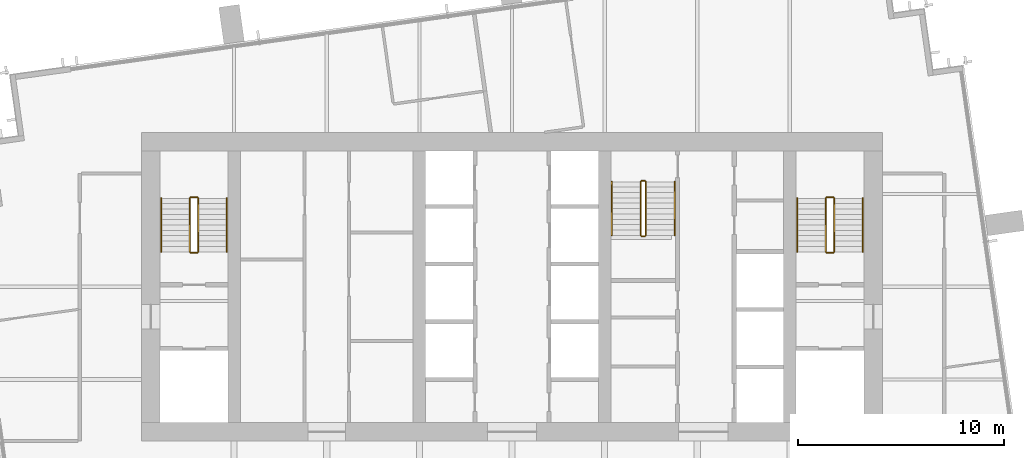
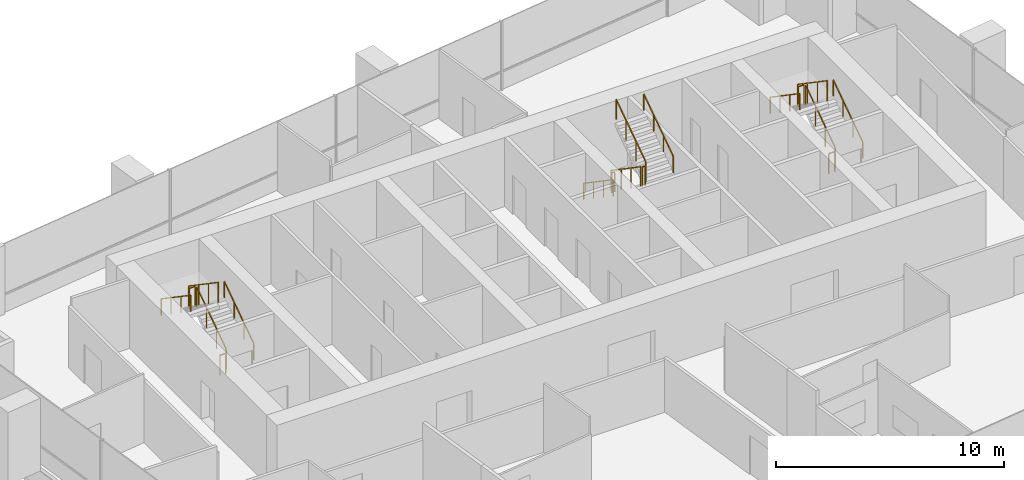
# One storey, part 12 of 12: 18 railings.
"""IFC4 building model written with IfcOpenShell, lengths in metres."""

from ifc_helpers import new_model, si_unit, direction, frame, origin, origin_2d, place, context, subcontext, project, spatial, rectangle, extrude, material, type_object, element, save


model = new_model("IFC4")

# Units and contexts
model_context = context("Model", 3, precision=1e-05, world=origin(), true_north=direction((0.0, 1.0)))
body_context = subcontext(model_context, "Body", "Model", "MODEL_VIEW")
ifc_project = project(units=[si_unit("LENGTHUNIT", "METRE"), si_unit("AREAUNIT", "SQUARE_METRE"), si_unit("VOLUMEUNIT", "CUBIC_METRE"), si_unit("PLANEANGLEUNIT", "RADIAN"), si_unit("MASSUNIT", "GRAM", prefix="KILO")], contexts=[model_context])

# Site, building, storey
site_placement = place(None, origin())
site = spatial("IfcSite", under=ifc_project, at=site_placement, CompositionType="ELEMENT")
building_placement = place(site_placement, origin())
building = spatial("IfcBuilding", under=site, at=building_placement, Name="Rattan Terrace Tower", CompositionType="ELEMENT")
storey_placement = place(building_placement, frame((0.0, 0.0, 282.39990234375)))
storey = spatial("IfcBuildingStorey", under=building, at=storey_placement, Name="L65", CompositionType="ELEMENT", Elevation=282.39990234375)

# Railings
ifc_material_1 = material(Name="Powder-coated steel guard", Category="steel")
railing_type_1 = type_object("IfcRailingType", Name="Core stair guard", PredefinedType="GUARDRAIL", material=ifc_material_1)
railing_1_placement = place(storey_placement, frame((-15.25, 1.699951171875, 0.177490234375)))
element("IfcRailing", 1, at=railing_1_placement, inside=storey, type_object=railing_type_1, Name="L65 S1 stair guard 1", PredefinedType="GUARDRAIL", context=body_context, shape_type="SweptSolid", body=[
    extrude(rectangle(XDim=0.048095703125, YDim=0.048095703125, at=origin_2d()), frame((0.0, 0.0, 1.076171875), z_axis=(0.0, 0.826240473404, 0.563317565952), x_axis=(-1.0, 0.0, 0.0)), (0.0, 0.0, 1.0), 3.14697265625),
    extrude(rectangle(XDim=0.0419921875, YDim=0.0419921875, at=origin_2d()), origin(), (0.0, 0.0, 1.0), 1.052001953125),
    extrude(rectangle(XDim=0.0419921875, YDim=0.0419921875, at=origin_2d()), frame((0.0, 0.86669921875, 0.5908203125)), (0.0, 0.0, 1.0), 1.052001953125),
    extrude(rectangle(XDim=0.0419921875, YDim=0.0419921875, at=origin_2d()), frame((0.0, 1.7333984375, 1.181884765625)), (0.0, 0.0, 1.0), 1.052001953125),
    extrude(rectangle(XDim=0.0419921875, YDim=0.0419921875, at=origin_2d()), frame((0.0, 2.60009765625, 1.772705078125)), (0.0, 0.0, 1.0), 1.052001953125),
])
railing_2_placement = place(storey_placement, frame((-15.300048828125, 4.35009765625, 1.9501953125)))
element("IfcRailing", 2, at=railing_2_placement, inside=storey, type_object=railing_type_1, Name="L65 S1 stair guard 2", PredefinedType="GUARDRAIL", context=body_context, shape_type="SweptSolid", body=[
    extrude(rectangle(XDim=0.048095703125, YDim=0.048095703125, at=origin_2d()), frame((0.0, 0.0, 1.076171875), z_axis=(-1.0, 0.0, 0.0), x_axis=(0.0, -1.0, 0.0)), (0.0, 0.0, 1.0), 0.300048828125),
    extrude(rectangle(XDim=0.0419921875, YDim=0.0419921875, at=origin_2d()), origin(), (0.0, 0.0, 1.0), 1.052001953125),
    extrude(rectangle(XDim=0.0419921875, YDim=0.0419921875, at=origin_2d()), frame((-0.300048828125, 0.0, 0.0)), (0.0, 0.0, 1.0), 1.052001953125),
])
railing_3_placement = place(storey_placement, frame((-15.64990234375, 4.300048828125, 2.12744140625)))
element("IfcRailing", 3, at=railing_3_placement, inside=storey, type_object=railing_type_1, Name="L65 S1 stair guard 3", PredefinedType="GUARDRAIL", context=body_context, shape_type="SweptSolid", body=[
    extrude(rectangle(XDim=0.048095703125, YDim=0.048095703125, at=origin_2d()), frame((0.0, 0.0, 1.076171875), z_axis=(0.0, -0.826240473404, 0.563317565952), x_axis=(1.0, 0.0, 0.0)), (0.0, 0.0, 1.0), 3.14697265625),
    extrude(rectangle(XDim=0.0419921875, YDim=0.0419921875, at=origin_2d()), origin(), (0.0, 0.0, 1.0), 1.052001953125),
    extrude(rectangle(XDim=0.0419921875, YDim=0.0419921875, at=origin_2d()), frame((0.0, -0.86669921875, 0.5908203125)), (0.0, 0.0, 1.0), 1.052001953125),
    extrude(rectangle(XDim=0.0419921875, YDim=0.0419921875, at=origin_2d()), frame((0.0, -1.7333984375, 1.181884765625)), (0.0, 0.0, 1.0), 1.052001953125),
    extrude(rectangle(XDim=0.0419921875, YDim=0.0419921875, at=origin_2d()), frame((0.0, -2.60009765625, 1.772705078125)), (0.0, 0.0, 1.0), 1.052001953125),
])
railing_4_placement = place(storey_placement, frame((-15.300048828125, 1.64990234375, 0.0)))
element("IfcRailing", 4, at=railing_4_placement, inside=storey, type_object=railing_type_1, Name="L65 S1 stair guard 4", PredefinedType="GUARDRAIL", context=body_context, shape_type="SweptSolid", body=[
    extrude(rectangle(XDim=0.048095703125, YDim=0.048095703125, at=origin_2d()), frame((0.0, 0.0, 1.076171875), z_axis=(-1.0, 0.0, 0.0), x_axis=(0.0, -1.0, 0.0)), (0.0, 0.0, 1.0), 0.300048828125),
    extrude(rectangle(XDim=0.0419921875, YDim=0.0419921875, at=origin_2d()), origin(), (0.0, 0.0, 1.0), 1.052001953125),
    extrude(rectangle(XDim=0.0419921875, YDim=0.0419921875, at=origin_2d()), frame((-0.300048828125, 0.0, 0.0)), (0.0, 0.0, 1.0), 1.052001953125),
])
railing_5_placement = place(storey_placement, frame((15.64990234375, 1.699951171875, 0.177490234375)))
element("IfcRailing", 5, at=railing_5_placement, inside=storey, type_object=railing_type_1, Name="L65 S2 stair guard 1", PredefinedType="GUARDRAIL", context=body_context, shape_type="SweptSolid", body=[
    extrude(rectangle(XDim=0.048095703125, YDim=0.048095703125, at=origin_2d()), frame((0.0, 0.0, 1.076171875), z_axis=(0.0, 0.826240473404, 0.563317565952), x_axis=(-1.0, 0.0, 0.0)), (0.0, 0.0, 1.0), 3.14697265625),
    extrude(rectangle(XDim=0.0419921875, YDim=0.0419921875, at=origin_2d()), origin(), (0.0, 0.0, 1.0), 1.052001953125),
    extrude(rectangle(XDim=0.0419921875, YDim=0.0419921875, at=origin_2d()), frame((0.0, 0.86669921875, 0.5908203125)), (0.0, 0.0, 1.0), 1.052001953125),
    extrude(rectangle(XDim=0.0419921875, YDim=0.0419921875, at=origin_2d()), frame((0.0, 1.7333984375, 1.181884765625)), (0.0, 0.0, 1.0), 1.052001953125),
    extrude(rectangle(XDim=0.0419921875, YDim=0.0419921875, at=origin_2d()), frame((0.0, 2.60009765625, 1.772705078125)), (0.0, 0.0, 1.0), 1.052001953125),
])
railing_6_placement = place(storey_placement, frame((15.60009765625, 4.35009765625, 1.9501953125)))
element("IfcRailing", 6, at=railing_6_placement, inside=storey, type_object=railing_type_1, Name="L65 S2 stair guard 2", PredefinedType="GUARDRAIL", context=body_context, shape_type="SweptSolid", body=[
    extrude(rectangle(XDim=0.048095703125, YDim=0.048095703125, at=origin_2d()), frame((0.0, 0.0, 1.076171875), z_axis=(-1.0, 0.0, 0.0), x_axis=(0.0, -1.0, 0.0)), (0.0, 0.0, 1.0), 0.300048828125),
    extrude(rectangle(XDim=0.0419921875, YDim=0.0419921875, at=origin_2d()), origin(), (0.0, 0.0, 1.0), 1.052001953125),
    extrude(rectangle(XDim=0.0419921875, YDim=0.0419921875, at=origin_2d()), frame((-0.300048828125, 0.0, 0.0)), (0.0, 0.0, 1.0), 1.052001953125),
])
railing_7_placement = place(storey_placement, frame((15.25, 4.300048828125, 2.12744140625)))
element("IfcRailing", 7, at=railing_7_placement, inside=storey, type_object=railing_type_1, Name="L65 S2 stair guard 3", PredefinedType="GUARDRAIL", context=body_context, shape_type="SweptSolid", body=[
    extrude(rectangle(XDim=0.048095703125, YDim=0.048095703125, at=origin_2d()), frame((0.0, 0.0, 1.076171875), z_axis=(0.0, -0.826240473404, 0.563317565952), x_axis=(1.0, 0.0, 0.0)), (0.0, 0.0, 1.0), 3.14697265625),
    extrude(rectangle(XDim=0.0419921875, YDim=0.0419921875, at=origin_2d()), origin(), (0.0, 0.0, 1.0), 1.052001953125),
    extrude(rectangle(XDim=0.0419921875, YDim=0.0419921875, at=origin_2d()), frame((0.0, -0.86669921875, 0.5908203125)), (0.0, 0.0, 1.0), 1.052001953125),
    extrude(rectangle(XDim=0.0419921875, YDim=0.0419921875, at=origin_2d()), frame((0.0, -1.7333984375, 1.181884765625)), (0.0, 0.0, 1.0), 1.052001953125),
    extrude(rectangle(XDim=0.0419921875, YDim=0.0419921875, at=origin_2d()), frame((0.0, -2.60009765625, 1.772705078125)), (0.0, 0.0, 1.0), 1.052001953125),
])
railing_8_placement = place(storey_placement, frame((15.60009765625, 1.64990234375, 0.0)))
element("IfcRailing", 8, at=railing_8_placement, inside=storey, type_object=railing_type_1, Name="L65 S2 stair guard 4", PredefinedType="GUARDRAIL", context=body_context, shape_type="SweptSolid", body=[
    extrude(rectangle(XDim=0.048095703125, YDim=0.048095703125, at=origin_2d()), frame((0.0, 0.0, 1.076171875), z_axis=(-1.0, 0.0, 0.0), x_axis=(0.0, -1.0, 0.0)), (0.0, 0.0, 1.0), 0.300048828125),
    extrude(rectangle(XDim=0.0419921875, YDim=0.0419921875, at=origin_2d()), origin(), (0.0, 0.0, 1.0), 1.052001953125),
    extrude(rectangle(XDim=0.0419921875, YDim=0.0419921875, at=origin_2d()), frame((-0.300048828125, 0.0, 0.0)), (0.0, 0.0, 1.0), 1.052001953125),
])
railing_9_placement = place(storey_placement, frame((6.25, 5.10009765625, 0.177490234375)))
element("IfcRailing", 9, at=railing_9_placement, inside=storey, type_object=railing_type_1, Name="L65 S3 stair guard 1", PredefinedType="GUARDRAIL", context=body_context, shape_type="SweptSolid", body=[
    extrude(rectangle(XDim=0.048095703125, YDim=0.048095703125, at=origin_2d()), frame((0.0, 0.0, 1.076171875), z_axis=(0.0, -0.826240473404, 0.563317565952), x_axis=(1.0, 0.0, 0.0)), (0.0, 0.0, 1.0), 3.14697265625),
    extrude(rectangle(XDim=0.0419921875, YDim=0.0419921875, at=origin_2d()), origin(), (0.0, 0.0, 1.0), 1.052001953125),
    extrude(rectangle(XDim=0.0419921875, YDim=0.0419921875, at=origin_2d()), frame((0.0, -0.86669921875, 0.5908203125)), (0.0, 0.0, 1.0), 1.052001953125),
    extrude(rectangle(XDim=0.0419921875, YDim=0.0419921875, at=origin_2d()), frame((0.0, -1.7333984375, 1.181884765625)), (0.0, 0.0, 1.0), 1.052001953125),
    extrude(rectangle(XDim=0.0419921875, YDim=0.0419921875, at=origin_2d()), frame((0.0, -2.60009765625, 1.772705078125)), (0.0, 0.0, 1.0), 1.052001953125),
])
railing_10_placement = place(storey_placement, frame((6.300048828125, 2.449951171875, 1.9501953125)))
element("IfcRailing", 10, at=railing_10_placement, inside=storey, type_object=railing_type_1, Name="L65 S3 stair guard 2", PredefinedType="GUARDRAIL", context=body_context, shape_type="SweptSolid", body=[
    extrude(rectangle(XDim=0.048095703125, YDim=0.048095703125, at=origin_2d()), frame((0.0, 0.0, 1.076171875), z_axis=(1.0, 0.0, 0.0), x_axis=(0.0, 1.0, 0.0)), (0.0, 0.0, 1.0), 0.14990234375),
    extrude(rectangle(XDim=0.0419921875, YDim=0.0419921875, at=origin_2d()), origin(), (0.0, 0.0, 1.0), 1.052001953125),
    extrude(rectangle(XDim=0.0419921875, YDim=0.0419921875, at=origin_2d()), frame((0.14990234375, 0.0, 0.0)), (0.0, 0.0, 1.0), 1.052001953125),
])
railing_11_placement = place(storey_placement, frame((6.5, 2.5, 2.12744140625)))
element("IfcRailing", 11, at=railing_11_placement, inside=storey, type_object=railing_type_1, Name="L65 S3 stair guard 3", PredefinedType="GUARDRAIL", context=body_context, shape_type="SweptSolid", body=[
    extrude(rectangle(XDim=0.048095703125, YDim=0.048095703125, at=origin_2d()), frame((0.0, 0.0, 1.076171875), z_axis=(0.0, 0.826240473404, 0.563317565952), x_axis=(-1.0, 0.0, 0.0)), (0.0, 0.0, 1.0), 3.14697265625),
    extrude(rectangle(XDim=0.0419921875, YDim=0.0419921875, at=origin_2d()), origin(), (0.0, 0.0, 1.0), 1.052001953125),
    extrude(rectangle(XDim=0.0419921875, YDim=0.0419921875, at=origin_2d()), frame((0.0, 0.86669921875, 0.5908203125)), (0.0, 0.0, 1.0), 1.052001953125),
    extrude(rectangle(XDim=0.0419921875, YDim=0.0419921875, at=origin_2d()), frame((0.0, 1.7333984375, 1.181884765625)), (0.0, 0.0, 1.0), 1.052001953125),
    extrude(rectangle(XDim=0.0419921875, YDim=0.0419921875, at=origin_2d()), frame((0.0, 2.60009765625, 1.772705078125)), (0.0, 0.0, 1.0), 1.052001953125),
])
railing_12_placement = place(storey_placement, frame((6.300048828125, 5.14990234375, 0.0)))
element("IfcRailing", 12, at=railing_12_placement, inside=storey, type_object=railing_type_1, Name="L65 S3 stair guard 4", PredefinedType="GUARDRAIL", context=body_context, shape_type="SweptSolid", body=[
    extrude(rectangle(XDim=0.048095703125, YDim=0.048095703125, at=origin_2d()), frame((0.0, 0.0, 1.076171875), z_axis=(1.0, 0.0, 0.0), x_axis=(0.0, 1.0, 0.0)), (0.0, 0.0, 1.0), 0.14990234375),
    extrude(rectangle(XDim=0.0419921875, YDim=0.0419921875, at=origin_2d()), origin(), (0.0, 0.0, 1.0), 1.052001953125),
    extrude(rectangle(XDim=0.0419921875, YDim=0.0419921875, at=origin_2d()), frame((0.14990234375, 0.0, 0.0)), (0.0, 0.0, 1.0), 1.052001953125),
])
ifc_material_2 = material(Name="Powder-coated steel handrail", Category="steel")
railing_type_2 = type_object("IfcRailingType", Name="Core stair handrail", PredefinedType="HANDRAIL", material=ifc_material_2)
railing_13_placement = place(storey_placement, frame((-13.85009765625, 1.699951171875, 0.177490234375)))
element("IfcRailing", 13, at=railing_13_placement, inside=storey, type_object=railing_type_2, Name="L65 S1 stair handrail 1", PredefinedType="HANDRAIL", context=body_context, shape_type="SweptSolid", body=[
    extrude(rectangle(XDim=0.048095703125, YDim=0.048095703125, at=origin_2d()), frame((0.0, 0.0, 0.8759765625), z_axis=(0.0, 0.826240473404, 0.563317565952), x_axis=(-1.0, 0.0, 0.0)), (0.0, 0.0, 1.0), 3.14697265625),
    extrude(rectangle(XDim=0.0419921875, YDim=0.0419921875, at=origin_2d()), origin(), (0.0, 0.0, 1.0), 0.851806640625),
    extrude(rectangle(XDim=0.0419921875, YDim=0.0419921875, at=origin_2d()), frame((0.0, 0.86669921875, 0.5908203125)), (0.0, 0.0, 1.0), 0.851806640625),
    extrude(rectangle(XDim=0.0419921875, YDim=0.0419921875, at=origin_2d()), frame((0.0, 1.7333984375, 1.181884765625)), (0.0, 0.0, 1.0), 0.851806640625),
    extrude(rectangle(XDim=0.0419921875, YDim=0.0419921875, at=origin_2d()), frame((0.0, 2.60009765625, 1.772705078125)), (0.0, 0.0, 1.0), 0.851806640625),
])
railing_14_placement = place(storey_placement, frame((-17.050048828125, 4.300048828125, 2.12744140625)))
element("IfcRailing", 14, at=railing_14_placement, inside=storey, type_object=railing_type_2, Name="L65 S1 stair handrail 2", PredefinedType="HANDRAIL", context=body_context, shape_type="SweptSolid", body=[
    extrude(rectangle(XDim=0.048095703125, YDim=0.048095703125, at=origin_2d()), frame((0.0, 0.0, 0.8759765625), z_axis=(0.0, -0.826240473404, 0.563317565952), x_axis=(1.0, 0.0, 0.0)), (0.0, 0.0, 1.0), 3.14697265625),
    extrude(rectangle(XDim=0.0419921875, YDim=0.0419921875, at=origin_2d()), origin(), (0.0, 0.0, 1.0), 0.851806640625),
    extrude(rectangle(XDim=0.0419921875, YDim=0.0419921875, at=origin_2d()), frame((0.0, -0.86669921875, 0.5908203125)), (0.0, 0.0, 1.0), 0.851806640625),
    extrude(rectangle(XDim=0.0419921875, YDim=0.0419921875, at=origin_2d()), frame((0.0, -1.7333984375, 1.181884765625)), (0.0, 0.0, 1.0), 0.851806640625),
    extrude(rectangle(XDim=0.0419921875, YDim=0.0419921875, at=origin_2d()), frame((0.0, -2.60009765625, 1.772705078125)), (0.0, 0.0, 1.0), 0.851806640625),
])
railing_15_placement = place(storey_placement, frame((17.050048828125, 1.699951171875, 0.177490234375)))
element("IfcRailing", 15, at=railing_15_placement, inside=storey, type_object=railing_type_2, Name="L65 S2 stair handrail 1", PredefinedType="HANDRAIL", context=body_context, shape_type="SweptSolid", body=[
    extrude(rectangle(XDim=0.048095703125, YDim=0.048095703125, at=origin_2d()), frame((0.0, 0.0, 0.8759765625), z_axis=(0.0, 0.826240473404, 0.563317565952), x_axis=(-1.0, 0.0, 0.0)), (0.0, 0.0, 1.0), 3.14697265625),
    extrude(rectangle(XDim=0.0419921875, YDim=0.0419921875, at=origin_2d()), origin(), (0.0, 0.0, 1.0), 0.851806640625),
    extrude(rectangle(XDim=0.0419921875, YDim=0.0419921875, at=origin_2d()), frame((0.0, 0.86669921875, 0.5908203125)), (0.0, 0.0, 1.0), 0.851806640625),
    extrude(rectangle(XDim=0.0419921875, YDim=0.0419921875, at=origin_2d()), frame((0.0, 1.7333984375, 1.181884765625)), (0.0, 0.0, 1.0), 0.851806640625),
    extrude(rectangle(XDim=0.0419921875, YDim=0.0419921875, at=origin_2d()), frame((0.0, 2.60009765625, 1.772705078125)), (0.0, 0.0, 1.0), 0.851806640625),
])
for number, where, name in (
    (16, (13.85009765625, 4.300048828125, 2.12744140625), "L65 S2 stair handrail 2"),
    (17, (4.85009765625, 5.10009765625, 0.177490234375), "L65 S3 stair handrail 1"),
):
    element("IfcRailing", number, at=place(storey_placement, frame(where)), inside=storey, type_object=railing_type_2, Name=name, PredefinedType="HANDRAIL", context=body_context, shape_type="SweptSolid", body=[
        extrude(rectangle(XDim=0.048095703125, YDim=0.048095703125, at=origin_2d()), frame((0.0, 0.0, 0.8759765625), z_axis=(0.0, -0.826240473404, 0.563317565952), x_axis=(1.0, 0.0, 0.0)), (0.0, 0.0, 1.0), 3.14697265625),
        extrude(rectangle(XDim=0.0419921875, YDim=0.0419921875, at=origin_2d()), origin(), (0.0, 0.0, 1.0), 0.851806640625),
        extrude(rectangle(XDim=0.0419921875, YDim=0.0419921875, at=origin_2d()), frame((0.0, -0.86669921875, 0.5908203125)), (0.0, 0.0, 1.0), 0.851806640625),
        extrude(rectangle(XDim=0.0419921875, YDim=0.0419921875, at=origin_2d()), frame((0.0, -1.7333984375, 1.181884765625)), (0.0, 0.0, 1.0), 0.851806640625),
        extrude(rectangle(XDim=0.0419921875, YDim=0.0419921875, at=origin_2d()), frame((0.0, -2.60009765625, 1.772705078125)), (0.0, 0.0, 1.0), 0.851806640625),
    ])
railing_16_placement = place(storey_placement, frame((7.89990234375, 2.5, 2.12744140625)))
element("IfcRailing", 18, at=railing_16_placement, inside=storey, type_object=railing_type_2, Name="L65 S3 stair handrail 2", PredefinedType="HANDRAIL", context=body_context, shape_type="SweptSolid", body=[
    extrude(rectangle(XDim=0.048095703125, YDim=0.048095703125, at=origin_2d()), frame((0.0, 0.0, 0.8759765625), z_axis=(0.0, 0.826240473404, 0.563317565952), x_axis=(-1.0, 0.0, 0.0)), (0.0, 0.0, 1.0), 3.14697265625),
    extrude(rectangle(XDim=0.0419921875, YDim=0.0419921875, at=origin_2d()), origin(), (0.0, 0.0, 1.0), 0.851806640625),
    extrude(rectangle(XDim=0.0419921875, YDim=0.0419921875, at=origin_2d()), frame((0.0, 0.86669921875, 0.5908203125)), (0.0, 0.0, 1.0), 0.851806640625),
    extrude(rectangle(XDim=0.0419921875, YDim=0.0419921875, at=origin_2d()), frame((0.0, 1.7333984375, 1.181884765625)), (0.0, 0.0, 1.0), 0.851806640625),
    extrude(rectangle(XDim=0.0419921875, YDim=0.0419921875, at=origin_2d()), frame((0.0, 2.60009765625, 1.772705078125)), (0.0, 0.0, 1.0), 0.851806640625),
])

save(model, "model.ifc")
